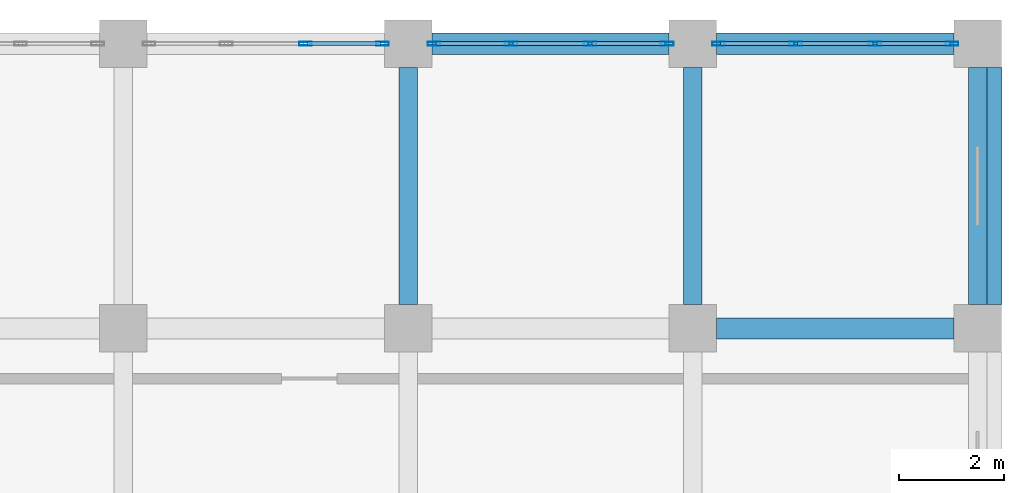
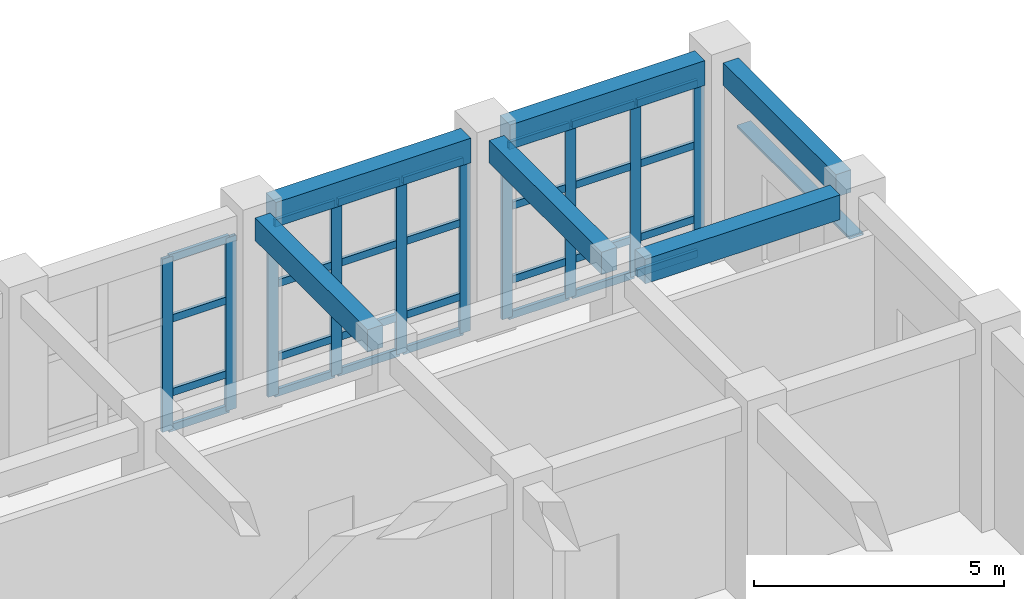
# One storey, part 66 of 106: 39 members, 6 beams, 3 elements without a shape of their own.
"""IFC4 building model written with IfcOpenShell, lengths in metres."""

from ifc_helpers import new_model, si_unit, direction, frame, origin, origin_2d, place, context, subcontext, project, spatial, rectangle, hollow_rectangle, extrude, material, layer, layer_set, material_profile, profile_set, type_object, element, aggregate, save


model = new_model("IFC4")

# Units and contexts
model_context = context("Model", 3, precision=1e-05, world=origin(), true_north=direction((0.0, 1.0)))
body_context = subcontext(model_context, "Body", "Model", "MODEL_VIEW")
ifc_project = project(units=[si_unit("LENGTHUNIT", "METRE"), si_unit("AREAUNIT", "SQUARE_METRE"), si_unit("VOLUMEUNIT", "CUBIC_METRE"), si_unit("PLANEANGLEUNIT", "RADIAN"), si_unit("MASSUNIT", "GRAM", prefix="KILO")], contexts=[model_context])

# Site, building, storey
site_placement = place(None, origin())
site = spatial("IfcSite", under=ifc_project, at=site_placement, CompositionType="ELEMENT")
building_placement = place(site_placement, origin())
building = spatial("IfcBuilding", under=site, at=building_placement, Name="Krzemoval Escarpment Law Courts", CompositionType="ELEMENT")
storey_placement = place(building_placement, frame((0.0, 0.0, 5.10009765625)))
storey = spatial("IfcBuildingStorey", under=building, at=storey_placement, Name="L01", CompositionType="ELEMENT", Elevation=5.10009765625)

# Beams
ifc_material_1 = material(Name="Concrete C40/50", Category="concrete")
ifc_material_profile_1 = material_profile(ifc_material_1, rectangle(XDim=0.35009765625, YDim=0.550048828125, at=origin_2d()), Name="RCB 350x550")
ifc_profile_set_1 = profile_set([ifc_material_profile_1], Name="Concrete C40/50")
beam_type_1 = type_object("IfcBeamType", Name="BM-RC-350x550", PredefinedType="BEAM", material=ifc_profile_set_1)
for number, where, z_axis, x_axis, name in (
    (1, (162.0, 113.85009765625, 4.544921875), (0.0, 1.0, 0.0), (-1.0, 0.0, 0.0), "Beam FG-L01-1579"),
    (2, (167.39990234375, 113.85009765625, 4.544921875), (0.0, 1.0, 0.0), (-1.0, 0.0, 0.0), "Beam FG-L01-1587"),
    (3, (172.800048828125, 113.85009765625, 4.544921875), (0.0, 1.0, 0.0), (-1.0, 0.0, 0.0), "Beam FG-L01-1595"),
):
    element("IfcBeam", number, at=place(storey_placement, frame(where, z_axis=z_axis, x_axis=x_axis)), inside=storey, type_object=beam_type_1, Name=name, PredefinedType="BEAM", context=body_context, shape_type="SweptSolid", body=[
        extrude(rectangle(XDim=0.35009765625, YDim=0.550048828125, at=origin_2d()), origin(), (0.0, 0.0, 1.0), 4.5),
    ])
ifc_material_2 = material(Name="Concrete C40/50", Category="concrete")
ifc_material_profile_2 = material_profile(ifc_material_2, rectangle(XDim=0.39990234375, YDim=0.60009765625, at=origin_2d()), Name="RCB 400x600")
ifc_profile_set_2 = profile_set([ifc_material_profile_2], Name="Concrete C40/50")
beam_type_2 = type_object("IfcBeamType", Name="BM-RC-400x600", PredefinedType="BEAM", material=ifc_profile_set_2)
for number, where, z_axis, x_axis, name in (
    (4, (167.85009765625, 113.39990234375, 4.52001953125), (1.0, 0.0, 0.0), (0.0, 1.0, 0.0), "Beam FG-L01-1358"),
    (5, (162.449951171875, 118.800048828125, 4.52001953125), (1.0, 0.0, 0.0), (0.0, 1.0, 0.0), "Beam FG-L01-1369"),
    (6, (167.85009765625, 118.800048828125, 4.52001953125), (1.0, 0.0, 0.0), (0.0, 1.0, 0.0), "Beam FG-L01-1370"),
):
    element("IfcBeam", number, at=place(storey_placement, frame(where, z_axis=z_axis, x_axis=x_axis)), inside=storey, type_object=beam_type_2, Name=name, PredefinedType="BEAM", context=body_context, shape_type="SweptSolid", body=[
        extrude(rectangle(XDim=0.39990234375, YDim=0.60009765625, at=origin_2d()), origin(), (0.0, 0.0, 1.0), 4.5),
    ])

# Curtain wall, members
ifc_material_3 = material(Name="Aluminium 6063-T6", Category="aluminium")
ifc_layer = layer(ifc_material_3, 0.239990234375)
ifc_layer_set = layer_set([ifc_layer], Name="Aluminium 6063-T6")
curtain_wall_type = type_object("IfcCurtainWallType", Name="CW-CHMB-4800", PredefinedType="USERDEFINED", material=ifc_layer_set)
curtain_wall_1_placement = place(storey_placement, origin())
curtain_wall_1 = element("IfcCurtainWall", 7, at=curtain_wall_1_placement, inside=storey, type_object=curtain_wall_type, Name="Unitised Curtain Wall FCW-L01-035", ObjectType="UNITISED_CURTAIN_WALL", PredefinedType="USERDEFINED")
ifc_material_4 = material(Name="Aluminium 6063-T6", Category="aluminium")
ifc_material_profile_3 = material_profile(ifc_material_4, hollow_rectangle(XDim=0.074951171875, YDim=0.239990234375, WallThickness=0.0048828125, at=origin_2d()), Name="ALU M75x240")
ifc_profile_set_3 = profile_set([ifc_material_profile_3], Name="Aluminium 6063-T6")
member_type_1 = type_object("IfcMemberType", Name="CWM-75x240", PredefinedType="MULLION", material=ifc_profile_set_3)
member_1_placement = place(storey_placement, frame((160.050048828125, 118.800048828125, 0.0), z_axis=(0.0, 0.0, 1.0), x_axis=(0.0, 1.0, 0.0)))
member_1 = element("IfcMember", 8, at=member_1_placement, type_object=member_type_1, Name="FCW-L01-035 mullion 3", PredefinedType="MULLION", context=body_context, shape_type="SweptSolid", body=[
    extrude(hollow_rectangle(XDim=0.074951171875, YDim=0.239990234375, WallThickness=0.0048828125, at=origin_2d()), origin(), (0.0, 0.0, 1.0), 4.219970703125),
])
member_2_placement = place(storey_placement, frame((161.512451171875, 118.800048828125, 0.0), z_axis=(0.0, 0.0, 1.0), x_axis=(0.0, 1.0, 0.0)))
member_2 = element("IfcMember", 9, at=member_2_placement, type_object=member_type_1, Name="FCW-L01-035 mullion 4", PredefinedType="MULLION", context=body_context, shape_type="SweptSolid", body=[
    extrude(hollow_rectangle(XDim=0.074951171875, YDim=0.239990234375, WallThickness=0.0048828125, at=origin_2d()), origin(), (0.0, 0.0, 1.0), 4.219970703125),
])

curtain_wall_2_placement = place(storey_placement, origin())
curtain_wall_2 = element("IfcCurtainWall", 10, at=curtain_wall_2_placement, inside=storey, type_object=curtain_wall_type, Name="Unitised Curtain Wall FCW-L01-036", ObjectType="UNITISED_CURTAIN_WALL", PredefinedType="USERDEFINED")
member_3_placement = place(storey_placement, frame((162.487548828125, 118.800048828125, 0.0), z_axis=(0.0, 0.0, 1.0), x_axis=(0.0, 1.0, 0.0)))
member_3 = element("IfcMember", 11, at=member_3_placement, type_object=member_type_1, Name="FCW-L01-036 mullion 1", PredefinedType="MULLION", context=body_context, shape_type="SweptSolid", body=[
    extrude(hollow_rectangle(XDim=0.074951171875, YDim=0.239990234375, WallThickness=0.0048828125, at=origin_2d()), origin(), (0.0, 0.0, 1.0), 4.219970703125),
])
member_4_placement = place(storey_placement, frame((163.949951171875, 118.800048828125, 0.0), z_axis=(0.0, 0.0, 1.0), x_axis=(0.0, 1.0, 0.0)))
member_4 = element("IfcMember", 12, at=member_4_placement, type_object=member_type_1, Name="FCW-L01-036 mullion 2", PredefinedType="MULLION", context=body_context, shape_type="SweptSolid", body=[
    extrude(hollow_rectangle(XDim=0.074951171875, YDim=0.239990234375, WallThickness=0.0048828125, at=origin_2d()), origin(), (0.0, 0.0, 1.0), 4.219970703125),
])
member_5_placement = place(storey_placement, frame((165.449951171875, 118.800048828125, 0.0), z_axis=(0.0, 0.0, 1.0), x_axis=(0.0, 1.0, 0.0)))
member_5 = element("IfcMember", 13, at=member_5_placement, type_object=member_type_1, Name="FCW-L01-036 mullion 3", PredefinedType="MULLION", context=body_context, shape_type="SweptSolid", body=[
    extrude(hollow_rectangle(XDim=0.074951171875, YDim=0.239990234375, WallThickness=0.0048828125, at=origin_2d()), origin(), (0.0, 0.0, 1.0), 4.219970703125),
])
member_6_placement = place(storey_placement, frame((166.91259765625, 118.800048828125, 0.0), z_axis=(0.0, 0.0, 1.0), x_axis=(0.0, 1.0, 0.0)))
member_6 = element("IfcMember", 14, at=member_6_placement, type_object=member_type_1, Name="FCW-L01-036 mullion 4", PredefinedType="MULLION", context=body_context, shape_type="SweptSolid", body=[
    extrude(hollow_rectangle(XDim=0.074951171875, YDim=0.239990234375, WallThickness=0.0048828125, at=origin_2d()), origin(), (0.0, 0.0, 1.0), 4.219970703125),
])

curtain_wall_3_placement = place(storey_placement, origin())
curtain_wall_3 = element("IfcCurtainWall", 15, at=curtain_wall_3_placement, inside=storey, type_object=curtain_wall_type, Name="Unitised Curtain Wall FCW-L01-037", ObjectType="UNITISED_CURTAIN_WALL", PredefinedType="USERDEFINED")
member_7_placement = place(storey_placement, frame((167.887451171875, 118.800048828125, 0.0), z_axis=(0.0, 0.0, 1.0), x_axis=(0.0, 1.0, 0.0)))
member_7 = element("IfcMember", 16, at=member_7_placement, type_object=member_type_1, Name="FCW-L01-037 mullion 1", PredefinedType="MULLION", context=body_context, shape_type="SweptSolid", body=[
    extrude(hollow_rectangle(XDim=0.074951171875, YDim=0.239990234375, WallThickness=0.0048828125, at=origin_2d()), origin(), (0.0, 0.0, 1.0), 4.219970703125),
])
member_8_placement = place(storey_placement, frame((169.35009765625, 118.800048828125, 0.0), z_axis=(0.0, 0.0, 1.0), x_axis=(0.0, 1.0, 0.0)))
member_8 = element("IfcMember", 17, at=member_8_placement, type_object=member_type_1, Name="FCW-L01-037 mullion 2", PredefinedType="MULLION", context=body_context, shape_type="SweptSolid", body=[
    extrude(hollow_rectangle(XDim=0.074951171875, YDim=0.239990234375, WallThickness=0.0048828125, at=origin_2d()), origin(), (0.0, 0.0, 1.0), 4.219970703125),
])
member_9_placement = place(storey_placement, frame((170.85009765625, 118.800048828125, 0.0), z_axis=(0.0, 0.0, 1.0), x_axis=(0.0, 1.0, 0.0)))
member_9 = element("IfcMember", 18, at=member_9_placement, type_object=member_type_1, Name="FCW-L01-037 mullion 3", PredefinedType="MULLION", context=body_context, shape_type="SweptSolid", body=[
    extrude(hollow_rectangle(XDim=0.074951171875, YDim=0.239990234375, WallThickness=0.0048828125, at=origin_2d()), origin(), (0.0, 0.0, 1.0), 4.219970703125),
])
member_10_placement = place(storey_placement, frame((172.3125, 118.800048828125, 0.0), z_axis=(0.0, 0.0, 1.0), x_axis=(0.0, 1.0, 0.0)))
member_10 = element("IfcMember", 19, at=member_10_placement, type_object=member_type_1, Name="FCW-L01-037 mullion 4", PredefinedType="MULLION", context=body_context, shape_type="SweptSolid", body=[
    extrude(hollow_rectangle(XDim=0.074951171875, YDim=0.239990234375, WallThickness=0.0048828125, at=origin_2d()), origin(), (0.0, 0.0, 1.0), 4.219970703125),
])

# Member
ifc_material_5 = material(Name="Aluminium 6063-T6", Category="aluminium")
ifc_material_profile_4 = material_profile(ifc_material_5, hollow_rectangle(XDim=0.074951171875, YDim=0.179931640625, WallThickness=0.0048828125, at=origin_2d()), Name="ALU T75x180")
ifc_profile_set_4 = profile_set([ifc_material_profile_4], Name="Aluminium 6063-T6")
member_type_2 = type_object("IfcMemberType", Name="CWT-75x180", PredefinedType="USERDEFINED", material=ifc_profile_set_4)
member_11_placement = place(storey_placement, frame((160.08740234375, 118.800048828125, 0.037353515625), z_axis=(1.0, 0.0, 0.0), x_axis=(0.0, 1.0, 0.0)))
member_11 = element("IfcMember", 20, at=member_11_placement, type_object=member_type_2, Name="FCW-L01-035 transom 3.1", ObjectType="TRANSOM", PredefinedType="USERDEFINED", context=body_context, shape_type="SweptSolid", body=[
    extrude(hollow_rectangle(XDim=0.074951171875, YDim=0.179931640625, WallThickness=0.0048828125, at=origin_2d()), origin(), (0.0, 0.0, 1.0), 1.3876953125),
])

member_12_placement = place(storey_placement, frame((160.08740234375, 118.800048828125, 0.89990234375), z_axis=(1.0, 0.0, 0.0), x_axis=(0.0, 1.0, 0.0)))
member_12 = element("IfcMember", 21, at=member_12_placement, type_object=member_type_2, Name="FCW-L01-035 transom 3.2", ObjectType="TRANSOM", PredefinedType="USERDEFINED", context=body_context, shape_type="SweptSolid", body=[
    extrude(hollow_rectangle(XDim=0.074951171875, YDim=0.179931640625, WallThickness=0.0048828125, at=origin_2d()), origin(), (0.0, 0.0, 1.0), 1.3876953125),
])

member_13_placement = place(storey_placement, frame((160.08740234375, 118.800048828125, 2.699951171875), z_axis=(1.0, 0.0, 0.0), x_axis=(0.0, 1.0, 0.0)))
member_13 = element("IfcMember", 22, at=member_13_placement, type_object=member_type_2, Name="FCW-L01-035 transom 3.3", ObjectType="TRANSOM", PredefinedType="USERDEFINED", context=body_context, shape_type="SweptSolid", body=[
    extrude(hollow_rectangle(XDim=0.074951171875, YDim=0.179931640625, WallThickness=0.0048828125, at=origin_2d()), origin(), (0.0, 0.0, 1.0), 1.3876953125),
])

member_14_placement = place(storey_placement, frame((160.08740234375, 118.800048828125, 4.182373046875), z_axis=(1.0, 0.0, 0.0), x_axis=(0.0, 1.0, 0.0)))
member_14 = element("IfcMember", 23, at=member_14_placement, type_object=member_type_2, Name="FCW-L01-035 transom 3.4", ObjectType="TRANSOM", PredefinedType="USERDEFINED", context=body_context, shape_type="SweptSolid", body=[
    extrude(hollow_rectangle(XDim=0.074951171875, YDim=0.179931640625, WallThickness=0.0048828125, at=origin_2d()), origin(), (0.0, 0.0, 1.0), 1.3876953125),
])

aggregate(curtain_wall_1, [member_1, member_2, member_11, member_12, member_13, member_14])

member_15_placement = place(storey_placement, frame((162.52490234375, 118.800048828125, 0.037353515625), z_axis=(1.0, 0.0, 0.0), x_axis=(0.0, 1.0, 0.0)))
member_15 = element("IfcMember", 24, at=member_15_placement, type_object=member_type_2, Name="FCW-L01-036 transom 1.1", ObjectType="TRANSOM", PredefinedType="USERDEFINED", context=body_context, shape_type="SweptSolid", body=[
    extrude(hollow_rectangle(XDim=0.074951171875, YDim=0.179931640625, WallThickness=0.0048828125, at=origin_2d()), origin(), (0.0, 0.0, 1.0), 1.3876953125),
])

member_16_placement = place(storey_placement, frame((162.52490234375, 118.800048828125, 0.89990234375), z_axis=(1.0, 0.0, 0.0), x_axis=(0.0, 1.0, 0.0)))
member_16 = element("IfcMember", 25, at=member_16_placement, type_object=member_type_2, Name="FCW-L01-036 transom 1.2", ObjectType="TRANSOM", PredefinedType="USERDEFINED", context=body_context, shape_type="SweptSolid", body=[
    extrude(hollow_rectangle(XDim=0.074951171875, YDim=0.179931640625, WallThickness=0.0048828125, at=origin_2d()), origin(), (0.0, 0.0, 1.0), 1.3876953125),
])

member_17_placement = place(storey_placement, frame((162.52490234375, 118.800048828125, 2.699951171875), z_axis=(1.0, 0.0, 0.0), x_axis=(0.0, 1.0, 0.0)))
member_17 = element("IfcMember", 26, at=member_17_placement, type_object=member_type_2, Name="FCW-L01-036 transom 1.3", ObjectType="TRANSOM", PredefinedType="USERDEFINED", context=body_context, shape_type="SweptSolid", body=[
    extrude(hollow_rectangle(XDim=0.074951171875, YDim=0.179931640625, WallThickness=0.0048828125, at=origin_2d()), origin(), (0.0, 0.0, 1.0), 1.3876953125),
])

member_18_placement = place(storey_placement, frame((162.52490234375, 118.800048828125, 4.182373046875), z_axis=(1.0, 0.0, 0.0), x_axis=(0.0, 1.0, 0.0)))
member_18 = element("IfcMember", 27, at=member_18_placement, type_object=member_type_2, Name="FCW-L01-036 transom 1.4", ObjectType="TRANSOM", PredefinedType="USERDEFINED", context=body_context, shape_type="SweptSolid", body=[
    extrude(hollow_rectangle(XDim=0.074951171875, YDim=0.179931640625, WallThickness=0.0048828125, at=origin_2d()), origin(), (0.0, 0.0, 1.0), 1.3876953125),
])

member_19_placement = place(storey_placement, frame((163.987548828125, 118.800048828125, 0.037353515625), z_axis=(1.0, 0.0, 0.0), x_axis=(0.0, 1.0, 0.0)))
member_19 = element("IfcMember", 28, at=member_19_placement, type_object=member_type_2, Name="FCW-L01-036 transom 2.1", ObjectType="TRANSOM", PredefinedType="USERDEFINED", context=body_context, shape_type="SweptSolid", body=[
    extrude(hollow_rectangle(XDim=0.074951171875, YDim=0.179931640625, WallThickness=0.0048828125, at=origin_2d()), origin(), (0.0, 0.0, 1.0), 1.425048828125),
])

member_20_placement = place(storey_placement, frame((163.987548828125, 118.800048828125, 0.89990234375), z_axis=(1.0, 0.0, 0.0), x_axis=(0.0, 1.0, 0.0)))
member_20 = element("IfcMember", 29, at=member_20_placement, type_object=member_type_2, Name="FCW-L01-036 transom 2.2", ObjectType="TRANSOM", PredefinedType="USERDEFINED", context=body_context, shape_type="SweptSolid", body=[
    extrude(hollow_rectangle(XDim=0.074951171875, YDim=0.179931640625, WallThickness=0.0048828125, at=origin_2d()), origin(), (0.0, 0.0, 1.0), 1.425048828125),
])

member_21_placement = place(storey_placement, frame((163.987548828125, 118.800048828125, 2.699951171875), z_axis=(1.0, 0.0, 0.0), x_axis=(0.0, 1.0, 0.0)))
member_21 = element("IfcMember", 30, at=member_21_placement, type_object=member_type_2, Name="FCW-L01-036 transom 2.3", ObjectType="TRANSOM", PredefinedType="USERDEFINED", context=body_context, shape_type="SweptSolid", body=[
    extrude(hollow_rectangle(XDim=0.074951171875, YDim=0.179931640625, WallThickness=0.0048828125, at=origin_2d()), origin(), (0.0, 0.0, 1.0), 1.425048828125),
])

member_22_placement = place(storey_placement, frame((163.987548828125, 118.800048828125, 4.182373046875), z_axis=(1.0, 0.0, 0.0), x_axis=(0.0, 1.0, 0.0)))
member_22 = element("IfcMember", 31, at=member_22_placement, type_object=member_type_2, Name="FCW-L01-036 transom 2.4", ObjectType="TRANSOM", PredefinedType="USERDEFINED", context=body_context, shape_type="SweptSolid", body=[
    extrude(hollow_rectangle(XDim=0.074951171875, YDim=0.179931640625, WallThickness=0.0048828125, at=origin_2d()), origin(), (0.0, 0.0, 1.0), 1.425048828125),
])

member_23_placement = place(storey_placement, frame((165.487548828125, 118.800048828125, 0.037353515625), z_axis=(1.0, 0.0, 0.0), x_axis=(0.0, 1.0, 0.0)))
member_23 = element("IfcMember", 32, at=member_23_placement, type_object=member_type_2, Name="FCW-L01-036 transom 3.1", ObjectType="TRANSOM", PredefinedType="USERDEFINED", context=body_context, shape_type="SweptSolid", body=[
    extrude(hollow_rectangle(XDim=0.074951171875, YDim=0.179931640625, WallThickness=0.0048828125, at=origin_2d()), origin(), (0.0, 0.0, 1.0), 1.387451171875),
])

member_24_placement = place(storey_placement, frame((165.487548828125, 118.800048828125, 0.89990234375), z_axis=(1.0, 0.0, 0.0), x_axis=(0.0, 1.0, 0.0)))
member_24 = element("IfcMember", 33, at=member_24_placement, type_object=member_type_2, Name="FCW-L01-036 transom 3.2", ObjectType="TRANSOM", PredefinedType="USERDEFINED", context=body_context, shape_type="SweptSolid", body=[
    extrude(hollow_rectangle(XDim=0.074951171875, YDim=0.179931640625, WallThickness=0.0048828125, at=origin_2d()), origin(), (0.0, 0.0, 1.0), 1.387451171875),
])

member_25_placement = place(storey_placement, frame((165.487548828125, 118.800048828125, 2.699951171875), z_axis=(1.0, 0.0, 0.0), x_axis=(0.0, 1.0, 0.0)))
member_25 = element("IfcMember", 34, at=member_25_placement, type_object=member_type_2, Name="FCW-L01-036 transom 3.3", ObjectType="TRANSOM", PredefinedType="USERDEFINED", context=body_context, shape_type="SweptSolid", body=[
    extrude(hollow_rectangle(XDim=0.074951171875, YDim=0.179931640625, WallThickness=0.0048828125, at=origin_2d()), origin(), (0.0, 0.0, 1.0), 1.387451171875),
])

member_26_placement = place(storey_placement, frame((165.487548828125, 118.800048828125, 4.182373046875), z_axis=(1.0, 0.0, 0.0), x_axis=(0.0, 1.0, 0.0)))
member_26 = element("IfcMember", 35, at=member_26_placement, type_object=member_type_2, Name="FCW-L01-036 transom 3.4", ObjectType="TRANSOM", PredefinedType="USERDEFINED", context=body_context, shape_type="SweptSolid", body=[
    extrude(hollow_rectangle(XDim=0.074951171875, YDim=0.179931640625, WallThickness=0.0048828125, at=origin_2d()), origin(), (0.0, 0.0, 1.0), 1.387451171875),
])

aggregate(curtain_wall_2, [member_3, member_4, member_5, member_6, member_15, member_16, member_17, member_18, member_19, member_20, member_21, member_22, member_23, member_24, member_25, member_26])

member_27_placement = place(storey_placement, frame((167.925048828125, 118.800048828125, 0.037353515625), z_axis=(1.0, 0.0, 0.0), x_axis=(0.0, 1.0, 0.0)))
member_27 = element("IfcMember", 36, at=member_27_placement, type_object=member_type_2, Name="FCW-L01-037 transom 1.1", ObjectType="TRANSOM", PredefinedType="USERDEFINED", context=body_context, shape_type="SweptSolid", body=[
    extrude(hollow_rectangle(XDim=0.074951171875, YDim=0.179931640625, WallThickness=0.0048828125, at=origin_2d()), origin(), (0.0, 0.0, 1.0), 1.387451171875),
])

member_28_placement = place(storey_placement, frame((167.925048828125, 118.800048828125, 0.89990234375), z_axis=(1.0, 0.0, 0.0), x_axis=(0.0, 1.0, 0.0)))
member_28 = element("IfcMember", 37, at=member_28_placement, type_object=member_type_2, Name="FCW-L01-037 transom 1.2", ObjectType="TRANSOM", PredefinedType="USERDEFINED", context=body_context, shape_type="SweptSolid", body=[
    extrude(hollow_rectangle(XDim=0.074951171875, YDim=0.179931640625, WallThickness=0.0048828125, at=origin_2d()), origin(), (0.0, 0.0, 1.0), 1.387451171875),
])

member_29_placement = place(storey_placement, frame((167.925048828125, 118.800048828125, 2.699951171875), z_axis=(1.0, 0.0, 0.0), x_axis=(0.0, 1.0, 0.0)))
member_29 = element("IfcMember", 38, at=member_29_placement, type_object=member_type_2, Name="FCW-L01-037 transom 1.3", ObjectType="TRANSOM", PredefinedType="USERDEFINED", context=body_context, shape_type="SweptSolid", body=[
    extrude(hollow_rectangle(XDim=0.074951171875, YDim=0.179931640625, WallThickness=0.0048828125, at=origin_2d()), origin(), (0.0, 0.0, 1.0), 1.387451171875),
])

member_30_placement = place(storey_placement, frame((167.925048828125, 118.800048828125, 4.182373046875), z_axis=(1.0, 0.0, 0.0), x_axis=(0.0, 1.0, 0.0)))
member_30 = element("IfcMember", 39, at=member_30_placement, type_object=member_type_2, Name="FCW-L01-037 transom 1.4", ObjectType="TRANSOM", PredefinedType="USERDEFINED", context=body_context, shape_type="SweptSolid", body=[
    extrude(hollow_rectangle(XDim=0.074951171875, YDim=0.179931640625, WallThickness=0.0048828125, at=origin_2d()), origin(), (0.0, 0.0, 1.0), 1.387451171875),
])

member_31_placement = place(storey_placement, frame((169.387451171875, 118.800048828125, 0.037353515625), z_axis=(1.0, 0.0, 0.0), x_axis=(0.0, 1.0, 0.0)))
member_31 = element("IfcMember", 40, at=member_31_placement, type_object=member_type_2, Name="FCW-L01-037 transom 2.1", ObjectType="TRANSOM", PredefinedType="USERDEFINED", context=body_context, shape_type="SweptSolid", body=[
    extrude(hollow_rectangle(XDim=0.074951171875, YDim=0.179931640625, WallThickness=0.0048828125, at=origin_2d()), origin(), (0.0, 0.0, 1.0), 1.425048828125),
])

member_32_placement = place(storey_placement, frame((169.387451171875, 118.800048828125, 0.89990234375), z_axis=(1.0, 0.0, 0.0), x_axis=(0.0, 1.0, 0.0)))
member_32 = element("IfcMember", 41, at=member_32_placement, type_object=member_type_2, Name="FCW-L01-037 transom 2.2", ObjectType="TRANSOM", PredefinedType="USERDEFINED", context=body_context, shape_type="SweptSolid", body=[
    extrude(hollow_rectangle(XDim=0.074951171875, YDim=0.179931640625, WallThickness=0.0048828125, at=origin_2d()), origin(), (0.0, 0.0, 1.0), 1.425048828125),
])

member_33_placement = place(storey_placement, frame((169.387451171875, 118.800048828125, 2.699951171875), z_axis=(1.0, 0.0, 0.0), x_axis=(0.0, 1.0, 0.0)))
member_33 = element("IfcMember", 42, at=member_33_placement, type_object=member_type_2, Name="FCW-L01-037 transom 2.3", ObjectType="TRANSOM", PredefinedType="USERDEFINED", context=body_context, shape_type="SweptSolid", body=[
    extrude(hollow_rectangle(XDim=0.074951171875, YDim=0.179931640625, WallThickness=0.0048828125, at=origin_2d()), origin(), (0.0, 0.0, 1.0), 1.425048828125),
])

member_34_placement = place(storey_placement, frame((169.387451171875, 118.800048828125, 4.182373046875), z_axis=(1.0, 0.0, 0.0), x_axis=(0.0, 1.0, 0.0)))
member_34 = element("IfcMember", 43, at=member_34_placement, type_object=member_type_2, Name="FCW-L01-037 transom 2.4", ObjectType="TRANSOM", PredefinedType="USERDEFINED", context=body_context, shape_type="SweptSolid", body=[
    extrude(hollow_rectangle(XDim=0.074951171875, YDim=0.179931640625, WallThickness=0.0048828125, at=origin_2d()), origin(), (0.0, 0.0, 1.0), 1.425048828125),
])

member_35_placement = place(storey_placement, frame((170.887451171875, 118.800048828125, 0.037353515625), z_axis=(1.0, 0.0, 0.0), x_axis=(0.0, 1.0, 0.0)))
member_35 = element("IfcMember", 44, at=member_35_placement, type_object=member_type_2, Name="FCW-L01-037 transom 3.1", ObjectType="TRANSOM", PredefinedType="USERDEFINED", context=body_context, shape_type="SweptSolid", body=[
    extrude(hollow_rectangle(XDim=0.074951171875, YDim=0.179931640625, WallThickness=0.0048828125, at=origin_2d()), origin(), (0.0, 0.0, 1.0), 1.387451171875),
])

member_36_placement = place(storey_placement, frame((170.887451171875, 118.800048828125, 0.89990234375), z_axis=(1.0, 0.0, 0.0), x_axis=(0.0, 1.0, 0.0)))
member_36 = element("IfcMember", 45, at=member_36_placement, type_object=member_type_2, Name="FCW-L01-037 transom 3.2", ObjectType="TRANSOM", PredefinedType="USERDEFINED", context=body_context, shape_type="SweptSolid", body=[
    extrude(hollow_rectangle(XDim=0.074951171875, YDim=0.179931640625, WallThickness=0.0048828125, at=origin_2d()), origin(), (0.0, 0.0, 1.0), 1.387451171875),
])

member_37_placement = place(storey_placement, frame((170.887451171875, 118.800048828125, 2.699951171875), z_axis=(1.0, 0.0, 0.0), x_axis=(0.0, 1.0, 0.0)))
member_37 = element("IfcMember", 46, at=member_37_placement, type_object=member_type_2, Name="FCW-L01-037 transom 3.3", ObjectType="TRANSOM", PredefinedType="USERDEFINED", context=body_context, shape_type="SweptSolid", body=[
    extrude(hollow_rectangle(XDim=0.074951171875, YDim=0.179931640625, WallThickness=0.0048828125, at=origin_2d()), origin(), (0.0, 0.0, 1.0), 1.387451171875),
])

member_38_placement = place(storey_placement, frame((170.887451171875, 118.800048828125, 4.182373046875), z_axis=(1.0, 0.0, 0.0), x_axis=(0.0, 1.0, 0.0)))
member_38 = element("IfcMember", 47, at=member_38_placement, type_object=member_type_2, Name="FCW-L01-037 transom 3.4", ObjectType="TRANSOM", PredefinedType="USERDEFINED", context=body_context, shape_type="SweptSolid", body=[
    extrude(hollow_rectangle(XDim=0.074951171875, YDim=0.179931640625, WallThickness=0.0048828125, at=origin_2d()), origin(), (0.0, 0.0, 1.0), 1.387451171875),
])

aggregate(curtain_wall_3, [member_7, member_8, member_9, member_10, member_27, member_28, member_29, member_30, member_31, member_32, member_33, member_34, member_35, member_36, member_37, member_38])

ifc_material_6 = material(Name="Anodised Aluminium Alloy 6063-T6", Category="aluminium")
ifc_material_profile_5 = material_profile(ifc_material_6, hollow_rectangle(XDim=0.06005859375, YDim=0.320068359375, WallThickness=0.00390625, at=origin_2d()), Name="ALU LVR 60x320")
ifc_profile_set_5 = profile_set([ifc_material_profile_5], Name="Anodised Aluminium Alloy 6063-T6")
member_type_3 = type_object("IfcMemberType", Name="LVR-ALU-320", PredefinedType="USERDEFINED", material=ifc_profile_set_5)
member_39_placement = place(storey_placement, frame((173.10009765625, 118.35009765625, 3.159912109375), z_axis=(0.0, -1.0, 0.0), x_axis=(0.0, 0.0, 1.0)))
element("IfcMember", 48, at=member_39_placement, inside=storey, type_object=member_type_3, Name="Window Sunshade Louvre FLV-L01-0094", ObjectType="SUNSHADE_LOUVRE", PredefinedType="USERDEFINED", context=body_context, shape_type="SweptSolid", body=[
    extrude(hollow_rectangle(XDim=0.06005859375, YDim=0.320068359375, WallThickness=0.00390625, at=origin_2d()), origin(), (0.0, 0.0, 1.0), 4.5),
])

save(model, "model.ifc")
